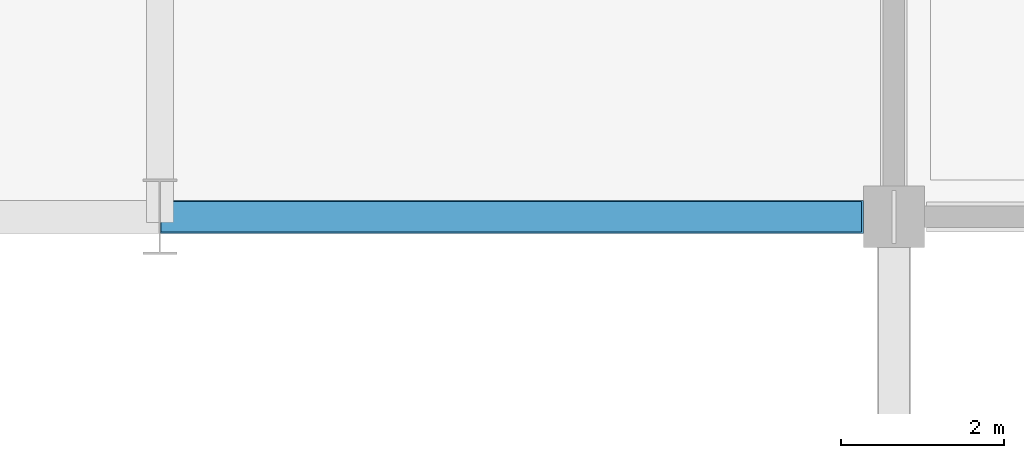
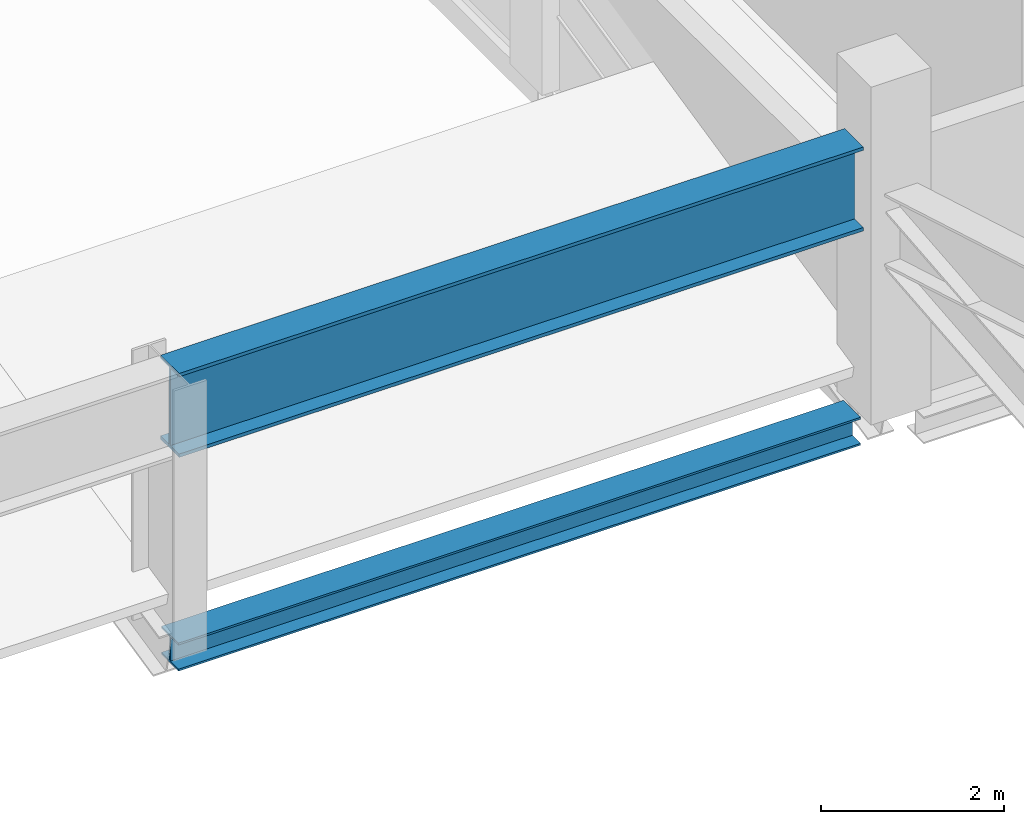
# One storey, part 23 of 151: 2 beams.
"""IFC4 building model written with IfcOpenShell, lengths in metres."""

import ifcopenshell
import ifcopenshell.guid

model = None  # the IFC model being written
_history = None  # IfcOwnerHistory: only IFC2X3 demands one
_inside = {}  # id of a spatial element -> (the spatial element, [elements in it])
_under = {}  # id of a project, library or spatial element -> (it, [spatial elements below it])
_declared = {}  # id of a project -> (the project, [libraries it declares])
_typed = {}  # id of a type object -> (the type object, [elements of that type])
_made_of = {}  # id of a material, layer set ... -> (it, [elements and type objects made of it])


def new_model(schema):
    """Start an empty IFC model of exactly this schema.

    Asked for "IFC4X3", IfcOpenShell would pick the latest addendum, in which some entities
    have other attributes; the version numbers below select the first issue.
    IFC2X3 requires an IfcOwnerHistory on every rooted entity: one is made here for all.
    """
    global model, _history
    if schema == "IFC4X3":
        model = ifcopenshell.file(schema_version=(4, 3, 0, 0))
    else:
        model = ifcopenshell.file(schema=schema)
    _inside.clear()
    _under.clear()
    _declared.clear()
    _typed.clear()
    _made_of.clear()
    _history = None
    if model.schema == "IFC2X3":
        org = make("IfcOrganization", Name="unknown")
        user = make(
            "IfcPersonAndOrganization",
            ThePerson=make("IfcPerson", FamilyName="unknown"),
            TheOrganization=org,
        )
        app = make(
            "IfcApplication",
            ApplicationDeveloper=org,
            Version="unknown",
            ApplicationFullName="unknown",
            ApplicationIdentifier="unknown",
        )
        _history = make(
            "IfcOwnerHistory",
            OwningUser=user,
            OwningApplication=app,
            ChangeAction="ADDED",
            CreationDate=0,
        )
    return model


def make(cls, **values):
    """One entity of the class cls with the attributes given. An attribute that is None is left unset."""
    return model.create_entity(
        cls, **{name: value for name, value in values.items() if value is not None}
    )


def rooted(cls, **values):
    """An entity with a GlobalId (a new one), such as an element, a storey or a relation."""
    return make(cls, GlobalId=ifcopenshell.guid.new(), OwnerHistory=_history, **values)


def si_unit(unit_type, name, prefix=None):
    """IfcSIUnit, for example si_unit("LENGTHUNIT", "METRE", prefix="MILLI")."""
    return make("IfcSIUnit", UnitType=unit_type, Prefix=prefix, Name=name)


def assignment(units):
    """IfcUnitAssignment: the units of a project."""
    return None if units is None else make("IfcUnitAssignment", Units=units)


def point(xyz):
    """IfcCartesianPoint."""
    return None if xyz is None else make("IfcCartesianPoint", Coordinates=xyz)


def direction(xyz):
    """IfcDirection."""
    return None if xyz is None else make("IfcDirection", DirectionRatios=xyz)


def frame(location, z_axis=None, x_axis=None):
    """IfcAxis2Placement3D, a coordinate frame: its origin and axes. An axis left out is left unset."""
    return make(
        "IfcAxis2Placement3D",
        Location=point(location),
        Axis=direction(z_axis),
        RefDirection=direction(x_axis),
    )


def frame_2d(location, x_axis=None):
    """IfcAxis2Placement2D, a coordinate frame in the plane: its origin and x axis."""
    return make(
        "IfcAxis2Placement2D", Location=point(location), RefDirection=direction(x_axis)
    )


def origin():
    """The frame at (0, 0, 0) with its axes left unset."""
    return frame((0.0, 0.0, 0.0))


def origin_2d():
    """The frame at (0, 0) in the plane with its x axis left unset."""
    return frame_2d((0.0, 0.0))


def place(relative_to, where):
    """IfcLocalPlacement: puts the frame where relative to a parent placement (None: the world)."""
    return make(
        "IfcLocalPlacement", PlacementRelTo=relative_to, RelativePlacement=where
    )


def context(
    kind, dimensions, precision=None, world=None, true_north=None, identifier=None
):
    """IfcGeometricRepresentationContext, for example the 3D "Model" context."""
    return make(
        "IfcGeometricRepresentationContext",
        ContextIdentifier=identifier,
        ContextType=kind,
        CoordinateSpaceDimension=dimensions,
        Precision=precision,
        WorldCoordinateSystem=world,
        TrueNorth=true_north,
    )


def subcontext(parent, identifier, kind, view, scale=None):
    """IfcGeometricRepresentationSubContext, for example "Body" below "Model"."""
    return make(
        "IfcGeometricRepresentationSubContext",
        ContextIdentifier=identifier,
        ContextType=kind,
        ParentContext=parent,
        TargetScale=scale,
        TargetView=view,
    )


def project(units=None, contexts=None):
    """IfcProject with its units and contexts."""
    return rooted(
        "IfcProject",
        Name="project",
        RepresentationContexts=contexts,
        UnitsInContext=assignment(units),
    )


def spatial(cls, under=None, at=None, **own):
    """A site, building, storey or space (cls), placed at a placement, below another one or the project."""
    s = rooted(cls, ObjectPlacement=at, **own)
    if under is not None:
        _under.setdefault(under.id(), (under, []))[1].append(s)
    return s


def profile(cls, at=None, kind="AREA", **sizes):
    """A parametric profile (cls). Its sizes go by their IFC names, for example OverallWidth=200.0."""
    return make(cls, ProfileType=kind, Position=at, **sizes)


def i_section(**sizes):
    """IfcIShapeProfileDef."""
    return profile("IfcIShapeProfileDef", **sizes)


def extrude(swept, where, along, depth):
    """IfcExtrudedAreaSolid: the profile swept, set in the frame where, extruded along a direction by depth."""
    return make(
        "IfcExtrudedAreaSolid",
        SweptArea=swept,
        Position=where,
        ExtrudedDirection=direction(along),
        Depth=depth,
    )


def shape(context_of_items, identifier, shape_type, items):
    """IfcShapeRepresentation: the items that make up one representation, for example the "Body"."""
    return make(
        "IfcShapeRepresentation",
        ContextOfItems=context_of_items,
        RepresentationIdentifier=identifier,
        RepresentationType=shape_type,
        Items=items,
    )


def material(Name=None, Category=None):
    """IfcMaterial."""
    return make("IfcMaterial", Name=Name, Category=Category)


def material_profile(
    of_material, cross_section, Name=None, Category=None, Priority=None
):
    """IfcMaterialProfile: a cross section and its material."""
    return make(
        "IfcMaterialProfile",
        Name=Name,
        Material=of_material,
        Profile=cross_section,
        Priority=Priority,
        Category=Category,
    )


def profile_set(profiles, Name=None, composite=None):
    """IfcMaterialProfileSet."""
    return make(
        "IfcMaterialProfileSet",
        Name=Name,
        MaterialProfiles=profiles,
        CompositeProfile=composite,
    )


def made_of(thing, what):
    """Note that an element or type object is made of a material, layer set ...; save() writes the relation."""
    if what is not None:
        _made_of.setdefault(what.id(), (what, []))[1].append(thing)
    return thing


def type_object(cls, material=None, **own):
    """A type object (cls), such as IfcWallType, which elements share."""
    return made_of(rooted(cls, **own), material)


def element(
    cls,
    number,
    at=None,
    inside=None,
    cuts=None,
    type_object=None,
    material=None,
    context=None,
    identifier="Body",
    shape_type=None,
    held_by="IfcProductDefinitionShape",
    body=None,
    shapes=None,
    **own,
):
    """One element of the class cls, such as IfcWall. Its Tag is "e" and its number.

    at: its placement. inside: the storey or other place that contains it. cuts: it is an
    opening in that element (IfcRelVoidsElement). A single representation is given by context,
    identifier, shape_type and body (its items); several are given by shapes. held_by: the class
    of the entity that holds the representations. save() writes the other relations.
    """
    e = rooted(cls, Tag="e%d" % number, ObjectPlacement=at, **own)
    if body is not None:
        shapes = [shape(context, identifier, shape_type, body)]
    if shapes is not None:
        e.Representation = make(held_by, Representations=shapes)
    if inside is not None:
        _inside.setdefault(inside.id(), (inside, []))[1].append(e)
    if cuts is not None:
        rooted(
            "IfcRelVoidsElement", RelatingBuildingElement=cuts, RelatedOpeningElement=e
        )
    if type_object is not None:
        _typed.setdefault(type_object.id(), (type_object, []))[1].append(e)
    return made_of(e, material)


def aggregate(whole, parts):
    """IfcRelAggregates: a whole, such as a stair, and the parts it consists of."""
    return rooted("IfcRelAggregates", RelatingObject=whole, RelatedObjects=parts)


def save(model, path):
    """Write the relations noted so far, then the file.

    IfcRelAggregates (storeys below a building ...), IfcRelContainedInSpatialStructure (elements
    in a storey), IfcRelDefinesByType, IfcRelAssociatesMaterial and IfcRelDeclares: one each for
    every whole, place, type object, material and project.
    """
    for whole, parts in _under.values():
        aggregate(whole, parts)
    for where, things in _inside.values():
        rooted(
            "IfcRelContainedInSpatialStructure",
            RelatedElements=things,
            RelatingStructure=where,
        )
    for kind, things in _typed.values():
        rooted("IfcRelDefinesByType", RelatedObjects=things, RelatingType=kind)
    for what, things in _made_of.values():
        rooted("IfcRelAssociatesMaterial", RelatedObjects=things, RelatingMaterial=what)
    for by, libraries in _declared.values():
        rooted("IfcRelDeclares", RelatingContext=by, RelatedDefinitions=libraries)
    model.write(path)


model = new_model("IFC4")

# Units and contexts
model_context = context("Model", 3, precision=1e-05, world=origin(), true_north=direction((0.0, 1.0)))
body_context = subcontext(model_context, "Body", "Model", "MODEL_VIEW")
ifc_project = project(units=[si_unit("LENGTHUNIT", "METRE"), si_unit("AREAUNIT", "SQUARE_METRE"), si_unit("VOLUMEUNIT", "CUBIC_METRE"), si_unit("PLANEANGLEUNIT", "RADIAN"), si_unit("MASSUNIT", "GRAM", prefix="KILO")], contexts=[model_context])

# Site, building, storey
site_placement = place(None, origin())
site = spatial("IfcSite", under=ifc_project, at=site_placement, CompositionType="ELEMENT")
building_placement = place(site_placement, origin())
building = spatial("IfcBuilding", under=site, at=building_placement, Name="Celestram Park Convention Centre", CompositionType="ELEMENT")
storey_placement = place(building_placement, frame((0.0, 0.0, 10.800048828125)))
storey = spatial("IfcBuildingStorey", under=building, at=storey_placement, Name="L02", CompositionType="ELEMENT", Elevation=10.800048828125)

# Beams
ifc_material = material(Name="Steel ASTM A992 Grade 50", Category="steel")
ifc_material_profile_1 = material_profile(ifc_material, i_section(OverallWidth=0.404052734375, OverallDepth=1.117919921875, WebThickness=0.026123046875, FlangeThickness=0.044921875, at=origin_2d()), Name="W44X335")
ifc_profile_set_1 = profile_set([ifc_material_profile_1], Name="Steel ASTM A992 Grade 50")
beam_type_1 = type_object("IfcBeamType", Name="STR-BM-W44X335", PredefinedType="BEAM", material=ifc_profile_set_1)
beam_1_placement = place(storey_placement, frame((27.0078125, 108.0, 3.041015625), z_axis=(1.0, 0.0, 0.0), x_axis=(0.0, 1.0, 0.0)))
element("IfcBeam", 1, at=beam_1_placement, inside=storey, type_object=beam_type_1, Name="Exhibition eaves tie girder BG-L02-0389", PredefinedType="BEAM", context=body_context, shape_type="SweptSolid", body=[
    extrude(i_section(OverallWidth=0.404052734375, OverallDepth=1.117919921875, WebThickness=0.026123046875, FlangeThickness=0.044921875, at=origin_2d()), origin(), (0.0, 0.0, 1.0), 8.619140625),
])
ifc_material_profile_2 = material_profile(ifc_material, i_section(OverallWidth=0.373046875, OverallDepth=0.373046875, WebThickness=0.016357421875, FlangeThickness=0.026123046875, at=origin_2d()), Name="W14X132")
ifc_profile_set_2 = profile_set([ifc_material_profile_2], Name="Steel ASTM A992 Grade 50")
beam_type_2 = type_object("IfcBeamType", Name="STR-SPN-W14X132", PredefinedType="SPANDREL", material=ifc_profile_set_2)
beam_2_placement = place(storey_placement, frame((27.010009765625, 108.0, -0.1865234375), z_axis=(1.0, 0.0, 0.0), x_axis=(0.0, 1.0, 0.0)))
element("IfcBeam", 2, at=beam_2_placement, inside=storey, type_object=beam_type_2, Name="High-bay perimeter spandrel SPB-L02-044", PredefinedType="SPANDREL", context=body_context, shape_type="SweptSolid", body=[
    extrude(i_section(OverallWidth=0.373046875, OverallDepth=0.373046875, WebThickness=0.016357421875, FlangeThickness=0.026123046875, at=origin_2d()), origin(), (0.0, 0.0, 1.0), 8.592041015625),
])

save(model, "model.ifc")
